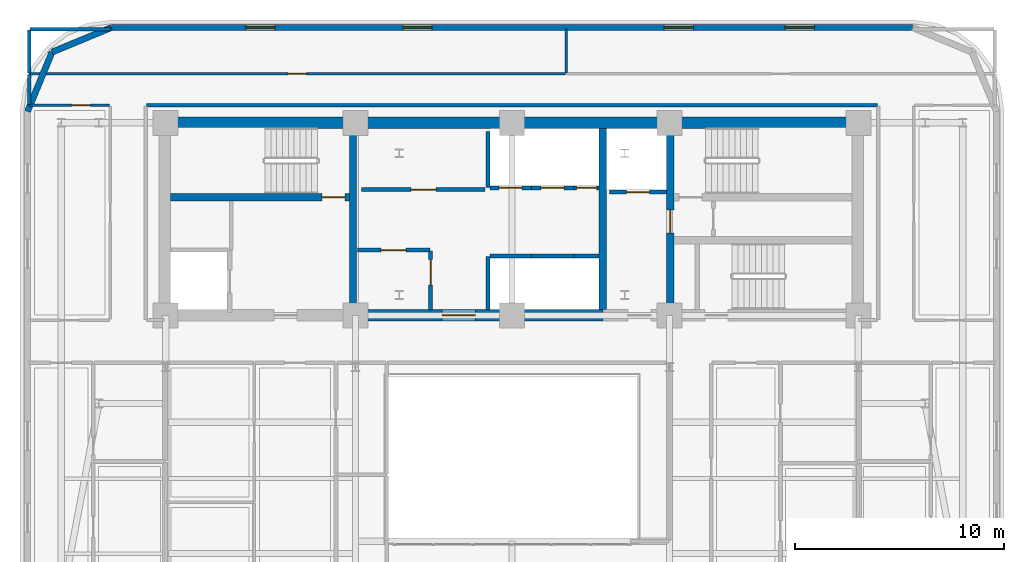
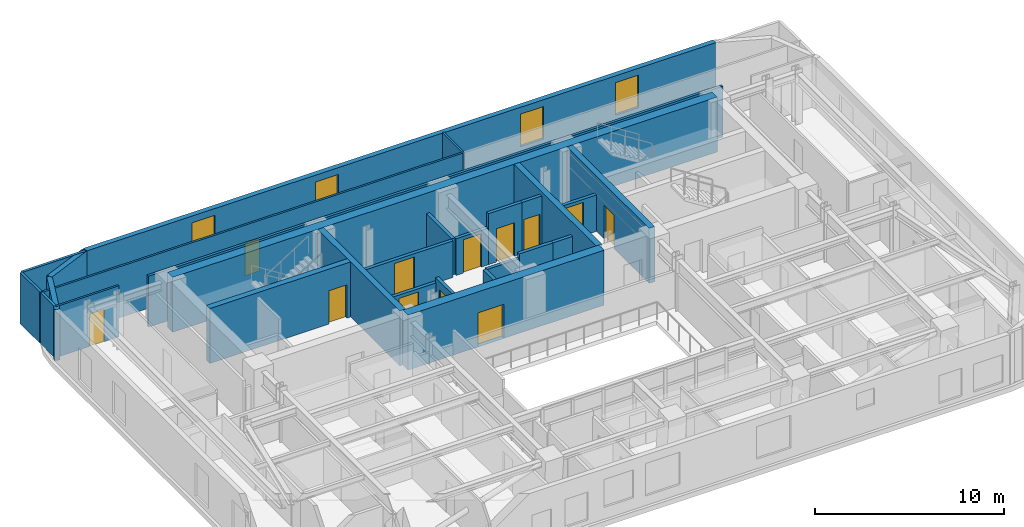
# One storey, part 7 of 12: 28 walls, 12 doors, 4 windows, 16 openings.
"""IFC4 building model written with IfcOpenShell, lengths in metres."""

from ifc_helpers import new_model, si_unit, direction, frame, frame_2d, origin, place, context, subcontext, project, spatial, rectangle, extrude, material, layer, layer_set, type_object, element, fill, save


model = new_model("IFC4")

# Units and contexts
model_context = context("Model", 3, precision=1e-05, world=origin(), true_north=direction((0.0, 1.0)))
body_context = subcontext(model_context, "Body", "Model", "MODEL_VIEW")
ifc_project = project(units=[si_unit("LENGTHUNIT", "METRE"), si_unit("AREAUNIT", "SQUARE_METRE"), si_unit("VOLUMEUNIT", "CUBIC_METRE"), si_unit("PLANEANGLEUNIT", "RADIAN"), si_unit("MASSUNIT", "GRAM", prefix="KILO")], contexts=[model_context])

# Site, building, storey
site_placement = place(None, origin())
site = spatial("IfcSite", under=ifc_project, at=site_placement, CompositionType="ELEMENT")
building_placement = place(site_placement, origin())
building = spatial("IfcBuilding", under=site, at=building_placement, Name="Zarnavel Station Tower", CompositionType="ELEMENT")
storey_placement = place(building_placement, frame((0.0, 0.0, 144.800048828125)))
storey = spatial("IfcBuildingStorey", under=building, at=storey_placement, Name="L39", CompositionType="ELEMENT", Elevation=144.800048828125)

# Walls
ifc_material_1 = material(Name="Concrete C50/60", Category="concrete")
ifc_layer_1 = layer(ifc_material_1, 0.35009765625)
ifc_layer_set_1 = layer_set([ifc_layer_1], Name="CW_350")
wall_type_1 = type_object("IfcWallType", Name="CW_350", PredefinedType="SHEAR", material=ifc_layer_set_1)
for number, where, z_axis, x_axis, name in (
    (1, (21.179931640625, 28.094970703125, 0.0), (0.0, 0.0, 1.0), (0.0, 1.0, 0.0), "L39 Rear Core Shear Wall DIV-W"),
    (2, (33.14990234375, 28.094970703125, 0.0), (0.0, 0.0, 1.0), (0.0, 1.0, 0.0), "L39 Rear Core Shear Wall DIV-E"),
):
    element("IfcWall", number, at=place(storey_placement, frame(where, z_axis=z_axis, x_axis=x_axis)), inside=storey, type_object=wall_type_1, Name=name, PredefinedType="SHEAR", context=body_context, shape_type="SweptSolid", body=[
        extrude(rectangle(XDim=8.679931640625, YDim=0.35009765625, at=frame_2d((4.33984375, 0.0))), origin(), (0.0, 0.0, 1.0), 3.550048828125),
    ])

# Wall, opening, door
wall_1_placement = place(storey_placement, frame((36.3798828125, 28.094970703125, 0.0), z_axis=(0.0, 0.0, 1.0), x_axis=(0.0, 1.0, 0.0)))
wall_1 = element("IfcWall", 3, at=wall_1_placement, inside=storey, type_object=wall_type_1, Name="L39 Rear Core Shear Wall DIV-S2", PredefinedType="SHEAR", context=body_context, shape_type="SweptSolid", body=[
    extrude(rectangle(XDim=8.679931640625, YDim=0.35009765625, at=frame_2d((4.33984375, 0.0))), origin(), (0.0, 0.0, 1.0), 3.550048828125),
])
opening_1_placement = place(wall_1_placement, frame((3.68505859375, 0.0, 0.0)))
opening_1 = element("IfcOpeningElement", 4, at=opening_1_placement, cuts=wall_1, Name="Opening FD01", PredefinedType="OPENING", context=body_context, shape_type="SweptSolid", body=[
    extrude(rectangle(XDim=1.10009765625, YDim=2.14990234375, at=frame_2d((0.550048828125, 1.074951171875))), frame((0.0, 0.18505859375, 0.0), z_axis=(0.0, -1.0, 0.0), x_axis=(1.0, 0.0, 0.0)), (0.0, 0.0, 1.0), 0.3701171875),
])
ifc_material_2 = material(Name="Painted Galvanised Steel and Hardwood Leaf", Category="steel")
door_type_1 = type_object("IfcDoorType", Name="ID_STAIR_1100", OperationType="NOTDEFINED", PredefinedType="DOOR", material=ifc_material_2)
door_1_placement = place(opening_1_placement, origin())
door_1 = element("IfcDoor", 5, at=door_1_placement, inside=storey, type_object=door_type_1, Name="L39 East Stair Vestibule Fire Door", OperationType="SINGLE_SWING_LEFT", OverallHeight=2.14990234375, OverallWidth=1.10009765625, PredefinedType="DOOR", context=body_context, shape_type="SweptSolid", body=[
    extrude(rectangle(XDim=1.10009765625, YDim=2.14990234375, at=frame_2d((0.550048828125, 1.074951171875))), frame((0.0, 0.02490234375, 0.0), z_axis=(0.0, -1.0, 0.0), x_axis=(1.0, 0.0, 0.0)), (0.0, 0.0, 1.0), 0.050048828125),
])
fill(opening_1, door_1)

wall_2_placement = place(storey_placement, frame((21.0048828125, 33.47998046875, 0.0), z_axis=(0.0, 0.0, 1.0), x_axis=(-1.0, 0.0, 0.0)))
wall_2 = element("IfcWall", 6, at=wall_2_placement, inside=storey, type_object=wall_type_1, Name="L39 Rear Core Shear Wall DIV-H1", PredefinedType="SHEAR", context=body_context, shape_type="SweptSolid", body=[
    extrude(rectangle(XDim=8.579833984375, YDim=0.35009765625, at=frame_2d((4.2900390625, 0.0))), origin(), (0.0, 0.0, 1.0), 3.550048828125),
])
opening_2_placement = place(wall_2_placement, frame((0.219970703125, 0.0, 0.0)))
opening_2 = element("IfcOpeningElement", 7, at=opening_2_placement, cuts=wall_2, Name="Opening FD01", PredefinedType="OPENING", context=body_context, shape_type="SweptSolid", body=[
    extrude(rectangle(XDim=1.10009765625, YDim=2.14990234375, at=frame_2d((0.550048828125, 1.074951171875))), frame((0.0, 0.18505859375, 0.0), z_axis=(0.0, -1.0, 0.0), x_axis=(1.0, 0.0, 0.0)), (0.0, 0.0, 1.0), 0.3701171875),
])
door_2_placement = place(opening_2_placement, origin())
door_2 = element("IfcDoor", 8, at=door_2_placement, inside=storey, type_object=door_type_1, Name="L39 Stair ST1 Lobby Fire Door", OperationType="SINGLE_SWING_LEFT", OverallHeight=2.14990234375, OverallWidth=1.10009765625, PredefinedType="DOOR", context=body_context, shape_type="SweptSolid", body=[
    extrude(rectangle(XDim=1.10009765625, YDim=2.14990234375, at=frame_2d((0.550048828125, 1.074951171875))), frame((0.0, 0.02490234375, 0.0), z_axis=(0.0, -1.0, 0.0), x_axis=(1.0, 0.0, 0.0)), (0.0, 0.0, 1.0), 0.050048828125),
])
fill(opening_2, door_2)

# Wall
ifc_material_3 = material(Name="Concrete C50/60", Category="concrete")
ifc_layer_2 = layer(ifc_material_3, 0.550048828125)
ifc_layer_set_2 = layer_set([ifc_layer_2], Name="CW_550")
wall_type_2 = type_object("IfcWallType", Name="CW_550", PredefinedType="SHEAR", material=ifc_layer_set_2)
wall_3_placement = place(storey_placement, frame((12.14990234375, 37.050048828125, 0.0), z_axis=(0.0, 0.0, 1.0), x_axis=(1.0, 0.0, 0.0)))
element("IfcWall", 9, at=wall_3_placement, inside=storey, type_object=wall_type_2, Name="L39 Rear Core Shear Wall N", PredefinedType="SHEAR", context=body_context, shape_type="SweptSolid", body=[
    extrude(rectangle(XDim=33.22998046875, YDim=0.550048828125, at=frame_2d((16.614990234375, 0.0))), origin(), (0.0, 0.0, 1.0), 3.550048828125),
])

# Wall, opening, door
wall_4_placement = place(storey_placement, frame((33.14990234375, 27.820068359375, 0.0), z_axis=(0.0, 0.0, 1.0), x_axis=(-1.0, 0.0, 0.0)))
wall_4 = element("IfcWall", 10, at=wall_4_placement, inside=storey, type_object=wall_type_2, Name="L39 Rear Core Shear Wall S-M", PredefinedType="SHEAR", context=body_context, shape_type="SweptSolid", body=[
    extrude(rectangle(XDim=11.969970703125, YDim=0.550048828125, at=frame_2d((5.98486328125, 0.0))), origin(), (0.0, 0.0, 1.0), 3.550048828125),
])
opening_3_placement = place(wall_4_placement, frame((6.10009765625, 0.0, 0.0)))
opening_3 = element("IfcOpeningElement", 11, at=opening_3_placement, cuts=wall_4, Name="Opening ID03", PredefinedType="OPENING", context=body_context, shape_type="SweptSolid", body=[
    extrude(rectangle(XDim=1.60009765625, YDim=2.199951171875, at=frame_2d((0.800048828125, 1.10009765625))), frame((0.0, 0.284912109375, 0.0), z_axis=(0.0, -1.0, 0.0), x_axis=(1.0, 0.0, 0.0)), (0.0, 0.0, 1.0), 0.570068359375),
])
ifc_material_4 = material(Name="Painted Galvanised Steel and Hardwood Leaf", Category="steel")
door_type_2 = type_object("IfcDoorType", Name="ID_PUBLIC_1600", OperationType="DOUBLE_DOOR_SINGLE_SWING", PredefinedType="DOOR", material=ifc_material_4)
door_3_placement = place(opening_3_placement, origin())
door_3 = element("IfcDoor", 12, at=door_3_placement, inside=storey, type_object=door_type_2, Name="L39 Passenger Lift Lobby Double Door", OperationType="SINGLE_SWING_LEFT", OverallHeight=2.199951171875, OverallWidth=1.60009765625, PredefinedType="DOOR", context=body_context, shape_type="SweptSolid", body=[
    extrude(rectangle(XDim=1.60009765625, YDim=2.199951171875, at=frame_2d((0.800048828125, 1.10009765625))), frame((0.0, 0.02490234375, 0.0), z_axis=(0.0, -1.0, 0.0), x_axis=(1.0, 0.0, 0.0)), (0.0, 0.0, 1.0), 0.050048828125),
])
fill(opening_3, door_3)

# Wall, openings, windows
ifc_material_5 = material(Name="Precast concrete C45/55 (Dark Basalt Finish)", Category="masonry")
ifc_layer_3 = layer(ifc_material_5, 0.300048828125)
ifc_layer_set_3 = layer_set([ifc_layer_3], Name="EW_BASALT_300")
wall_type_3 = type_object("IfcWallType", Name="EW_BASALT_300", PredefinedType="SOLIDWALL", material=ifc_layer_set_3)
wall_5_placement = place(storey_placement, frame((9.60009765625, 41.6201171875, 0.0), z_axis=(0.0, 0.0, 1.0), x_axis=(1.0, 0.0, 0.0)))
wall_5 = element("IfcWall", 13, at=wall_5_placement, inside=storey, type_object=wall_type_3, Name="L39 Exterior Basalt Masonry Frame Wall 06", PredefinedType="SOLIDWALL", context=body_context, shape_type="SweptSolid", body=[
    extrude(rectangle(XDim=38.39990234375, YDim=0.300048828125, at=frame_2d((19.199951171875, 0.0))), origin(), (0.0, 0.0, 1.0), 3.2900390625),
])
opening_4_placement = place(wall_5_placement, frame((6.44677734375, 0.0, 0.75)))
opening_4 = element("IfcOpeningElement", 14, at=opening_4_placement, cuts=wall_5, Name="Opening WN04", PredefinedType="OPENING", context=body_context, shape_type="SweptSolid", body=[
    extrude(rectangle(XDim=1.39990234375, YDim=2.10009765625, at=frame_2d((0.699951171875, 1.050048828125))), frame((0.0, 0.159912109375, 0.0), z_axis=(0.0, -1.0, 0.0), x_axis=(1.0, 0.0, 0.0)), (0.0, 0.0, 1.0), 0.320068359375),
])
opening_5_placement = place(wall_5_placement, frame((13.973388671875, 0.0, 0.75)))
opening_5 = element("IfcOpeningElement", 15, at=opening_5_placement, cuts=wall_5, Name="Opening WN04", PredefinedType="OPENING", context=body_context, shape_type="SweptSolid", body=[
    extrude(rectangle(XDim=1.39990234375, YDim=2.10009765625, at=frame_2d((0.699951171875, 1.050048828125))), frame((0.0, 0.159912109375, 0.0), z_axis=(0.0, -1.0, 0.0), x_axis=(1.0, 0.0, 0.0)), (0.0, 0.0, 1.0), 0.320068359375),
])
opening_6_placement = place(wall_5_placement, frame((26.493408203125, 0.0, 0.75)))
opening_6 = element("IfcOpeningElement", 16, at=opening_6_placement, cuts=wall_5, Name="Opening WN04", PredefinedType="OPENING", context=body_context, shape_type="SweptSolid", body=[
    extrude(rectangle(XDim=1.39990234375, YDim=2.10009765625, at=frame_2d((0.699951171875, 1.050048828125))), frame((0.0, 0.159912109375, 0.0), z_axis=(0.0, -1.0, 0.0), x_axis=(1.0, 0.0, 0.0)), (0.0, 0.0, 1.0), 0.320068359375),
])
opening_7_placement = place(wall_5_placement, frame((32.28662109375, 0.0, 0.75)))
opening_7 = element("IfcOpeningElement", 17, at=opening_7_placement, cuts=wall_5, Name="Opening WN04", PredefinedType="OPENING", context=body_context, shape_type="SweptSolid", body=[
    extrude(rectangle(XDim=1.39990234375, YDim=2.10009765625, at=frame_2d((0.699951171875, 1.050048828125))), frame((0.0, 0.159912109375, 0.0), z_axis=(0.0, -1.0, 0.0), x_axis=(1.0, 0.0, 0.0)), (0.0, 0.0, 1.0), 0.320068359375),
])
ifc_material_6 = material(Name="Thermally Broken Black Aluminium and Low-E Dark Glass", Category="aluminium")
window_type = type_object("IfcWindowType", Name="WN_1400x2100", PartitioningType="DOUBLE_PANEL_VERTICAL", PredefinedType="WINDOW", material=ifc_material_6)
window_1_placement = place(opening_4_placement, origin())
window_1 = element("IfcWindow", 18, at=window_1_placement, inside=storey, type_object=window_type, Name="L39 Recessed Facade Window 01", OverallHeight=2.10009765625, OverallWidth=1.39990234375, PartitioningType="SINGLE_PANEL", PredefinedType="WINDOW", context=body_context, shape_type="SweptSolid", body=[
    extrude(rectangle(XDim=1.39990234375, YDim=2.10009765625, at=frame_2d((0.699951171875, 1.050048828125))), frame((0.0, 0.030029296875, 0.0), z_axis=(0.0, -1.0, 0.0), x_axis=(1.0, 0.0, 0.0)), (0.0, 0.0, 1.0), 0.06005859375),
])
fill(opening_4, window_1)
window_2_placement = place(opening_5_placement, origin())
window_2 = element("IfcWindow", 19, at=window_2_placement, inside=storey, type_object=window_type, Name="L39 Recessed Facade Window 02", OverallHeight=2.10009765625, OverallWidth=1.39990234375, PartitioningType="SINGLE_PANEL", PredefinedType="WINDOW", context=body_context, shape_type="SweptSolid", body=[
    extrude(rectangle(XDim=1.39990234375, YDim=2.10009765625, at=frame_2d((0.699951171875, 1.050048828125))), frame((0.0, 0.030029296875, 0.0), z_axis=(0.0, -1.0, 0.0), x_axis=(1.0, 0.0, 0.0)), (0.0, 0.0, 1.0), 0.06005859375),
])
fill(opening_5, window_2)
window_3_placement = place(opening_6_placement, origin())
window_3 = element("IfcWindow", 20, at=window_3_placement, inside=storey, type_object=window_type, Name="L39 Recessed Facade Window 03", OverallHeight=2.10009765625, OverallWidth=1.39990234375, PartitioningType="SINGLE_PANEL", PredefinedType="WINDOW", context=body_context, shape_type="SweptSolid", body=[
    extrude(rectangle(XDim=1.39990234375, YDim=2.10009765625, at=frame_2d((0.699951171875, 1.050048828125))), frame((0.0, 0.030029296875, 0.0), z_axis=(0.0, -1.0, 0.0), x_axis=(1.0, 0.0, 0.0)), (0.0, 0.0, 1.0), 0.06005859375),
])
fill(opening_6, window_3)
window_4_placement = place(opening_7_placement, origin())
window_4 = element("IfcWindow", 21, at=window_4_placement, inside=storey, type_object=window_type, Name="L39 Recessed Facade Window 04", OverallHeight=2.10009765625, OverallWidth=1.39990234375, PartitioningType="SINGLE_PANEL", PredefinedType="WINDOW", context=body_context, shape_type="SweptSolid", body=[
    extrude(rectangle(XDim=1.39990234375, YDim=2.10009765625, at=frame_2d((0.699951171875, 1.050048828125))), frame((0.0, 0.030029296875, 0.0), z_axis=(0.0, -1.0, 0.0), x_axis=(1.0, 0.0, 0.0)), (0.0, 0.0, 1.0), 0.06005859375),
])
fill(opening_7, window_4)

# Walls
wall_6_placement = place(storey_placement, frame((6.75732421875, 40.442626953125, 0.0), z_axis=(0.0, 0.0, 1.0), x_axis=(0.923882414032, 0.382676475685, 0.0)))
element("IfcWall", 22, at=wall_6_placement, inside=storey, type_object=wall_type_3, Name="L39 Exterior Basalt Masonry Frame Wall 07", PredefinedType="SOLIDWALL", context=body_context, shape_type="SweptSolid", body=[
    extrude(rectangle(XDim=3.076904296875, YDim=0.300048828125, at=frame_2d((1.53857421875, 0.0))), origin(), (0.0, 0.0, 1.0), 3.2900390625),
])
wall_7_placement = place(storey_placement, frame((5.580078125, 37.60009765625, 0.0), z_axis=(0.0, 0.0, 1.0), x_axis=(0.382636798336, 0.92389884758, 0.0)))
element("IfcWall", 23, at=wall_7_placement, inside=storey, type_object=wall_type_3, Name="L39 Exterior Basalt Masonry Frame Wall 08", PredefinedType="SOLIDWALL", context=body_context, shape_type="SweptSolid", body=[
    extrude(rectangle(XDim=3.07666015625, YDim=0.300048828125, at=frame_2d((1.538330078125, 0.0))), origin(), (0.0, 0.0, 1.0), 3.2900390625),
])
ifc_material_7 = material(Name="Gypsum Twin-Stud Acoustic Fire Partition", Category="concrete")
ifc_layer_4 = layer(ifc_material_7, 0.159912109375)
ifc_layer_set_4 = layer_set([ifc_layer_4], Name="PT_DEMISE_160")
wall_type_4 = type_object("IfcWallType", Name="PT_DEMISE_160", PredefinedType="PARTITIONING", material=ifc_layer_set_4)
wall_8_placement = place(storey_placement, frame((11.280029296875, 37.89990234375, 0.0), z_axis=(0.0, 0.0, 1.0), x_axis=(1.0, 0.0, 0.0)))
element("IfcWall", 24, at=wall_8_placement, inside=storey, type_object=wall_type_4, Name="L39 Enclosure Wall COR-N", PredefinedType="PARTITIONING", context=body_context, shape_type="SweptSolid", body=[
    extrude(rectangle(XDim=35.0400390625, YDim=0.159912109375, at=frame_2d((17.52001953125, 0.0))), origin(), (0.0, 0.0, 1.0), 3.2900390625),
])
wall_9_placement = place(storey_placement, frame((5.659912109375, 37.929931640625, 0.0), z_axis=(0.0, 0.0, 1.0), x_axis=(0.0, 1.0, 0.0)))
element("IfcWall", 25, at=wall_9_placement, inside=storey, type_object=wall_type_4, Name="L39 Enclosure Wall COR-N", PredefinedType="PARTITIONING", context=body_context, shape_type="SweptSolid", body=[
    extrude(rectangle(XDim=1.440185546875, YDim=0.159912109375, at=frame_2d((0.72021484375, 0.0))), origin(), (0.0, 0.0, 1.0), 3.2900390625),
])
wall_10_placement = place(storey_placement, frame((5.68994140625, 41.5400390625, 0.0), z_axis=(0.0, 0.0, 1.0), x_axis=(1.0, 0.0, 0.0)))
element("IfcWall", 26, at=wall_10_placement, inside=storey, type_object=wall_type_4, Name="L39 Enclosure Wall NGYM", PredefinedType="PARTITIONING", context=body_context, shape_type="SweptSolid", body=[
    extrude(rectangle(XDim=3.880126953125, YDim=0.159912109375, at=frame_2d((1.93994140625, 0.0))), origin(), (0.0, 0.0, 1.0), 3.2900390625),
])
wall_11_placement = place(storey_placement, frame((5.659912109375, 39.429931640625, 0.0), z_axis=(0.0, 0.0, 1.0), x_axis=(0.0, 1.0, 0.0)))
element("IfcWall", 27, at=wall_11_placement, inside=storey, type_object=wall_type_4, Name="L39 Enclosure Wall NGYM", PredefinedType="PARTITIONING", context=body_context, shape_type="SweptSolid", body=[
    extrude(rectangle(XDim=2.080078125, YDim=0.159912109375, at=frame_2d((1.0400390625, 0.0))), origin(), (0.0, 0.0, 1.0), 3.2900390625),
])

# Wall, opening, door
ifc_material_8 = material(Name="Gypsum Metal-Stud Interior Partition", Category="concrete")
ifc_layer_5 = layer(ifc_material_8, 0.1201171875)
ifc_layer_set_5 = layer_set([ifc_layer_5], Name="PT_ROOM_120")
wall_type_5 = type_object("IfcWallType", Name="PT_ROOM_120", PredefinedType="PARTITIONING", material=ifc_layer_set_5)
wall_12_placement = place(storey_placement, frame((5.659912109375, 37.89990234375, 0.0), z_axis=(0.0, 0.0, 1.0), x_axis=(1.0, 0.0, 0.0)))
wall_12 = element("IfcWall", 28, at=wall_12_placement, inside=storey, type_object=wall_type_5, Name="L39 Partition COR-N-FNW", PredefinedType="PARTITIONING", context=body_context, shape_type="SweptSolid", body=[
    extrude(rectangle(XDim=3.85009765625, YDim=0.1201171875, at=frame_2d((1.925048828125, 0.0))), origin(), (0.0, 0.0, 1.0), 3.2900390625),
])
opening_8_placement = place(wall_12_placement, frame((2.03125, 0.0, 0.0)))
opening_8 = element("IfcOpeningElement", 29, at=opening_8_placement, cuts=wall_12, Name="Opening ID01", PredefinedType="OPENING", context=body_context, shape_type="SweptSolid", body=[
    extrude(rectangle(XDim=0.89990234375, YDim=2.10009765625, at=frame_2d((0.449951171875, 1.050048828125))), frame((0.0, 0.070068359375, 0.0), z_axis=(0.0, -1.0, 0.0), x_axis=(1.0, 0.0, 0.0)), (0.0, 0.0, 1.0), 0.14013671875),
])
ifc_material_9 = material(Name="Painted Galvanised Steel and Hardwood Leaf", Category="steel")
door_type_3 = type_object("IfcDoorType", Name="ID_ROOM_900", OperationType="NOTDEFINED", PredefinedType="DOOR", material=ifc_material_9)
door_4_placement = place(opening_8_placement, origin())
door_4 = element("IfcDoor", 30, at=door_4_placement, inside=storey, type_object=door_type_3, Name="L39 Door COR-N-FNW", OperationType="SINGLE_SWING_LEFT", OverallHeight=2.10009765625, OverallWidth=0.89990234375, PredefinedType="DOOR", context=body_context, shape_type="SweptSolid", body=[
    extrude(rectangle(XDim=0.89990234375, YDim=2.10009765625, at=frame_2d((0.449951171875, 1.050048828125))), frame((0.0, 0.02490234375, 0.0), z_axis=(0.0, -1.0, 0.0), x_axis=(1.0, 0.0, 0.0)), (0.0, 0.0, 1.0), 0.050048828125),
])
fill(opening_8, door_4)

wall_13_placement = place(storey_placement, frame((5.659912109375, 39.39990234375, 0.0), z_axis=(0.0, 0.0, 1.0), x_axis=(1.0, 0.0, 0.0)))
wall_13 = element("IfcWall", 31, at=wall_13_placement, inside=storey, type_object=wall_type_5, Name="L39 Partition COR-N-NGYM", PredefinedType="PARTITIONING", context=body_context, shape_type="SweptSolid", body=[
    extrude(rectangle(XDim=25.7001953125, YDim=0.1201171875, at=frame_2d((12.85009765625, 0.0))), origin(), (0.0, 0.0, 1.0), 3.2900390625),
])
opening_9_placement = place(wall_13_placement, frame((12.39990234375, 0.0, 0.0)))
opening_9 = element("IfcOpeningElement", 32, at=opening_9_placement, cuts=wall_13, Name="Opening ID01", PredefinedType="OPENING", context=body_context, shape_type="SweptSolid", body=[
    extrude(rectangle(XDim=0.89990234375, YDim=2.10009765625, at=frame_2d((0.449951171875, 1.050048828125))), frame((0.0, 0.070068359375, 0.0), z_axis=(0.0, -1.0, 0.0), x_axis=(1.0, 0.0, 0.0)), (0.0, 0.0, 1.0), 0.14013671875),
])
door_5_placement = place(opening_9_placement, origin())
door_5 = element("IfcDoor", 33, at=door_5_placement, inside=storey, type_object=door_type_3, Name="L39 Door COR-N-NGYM", OperationType="SINGLE_SWING_LEFT", OverallHeight=2.10009765625, OverallWidth=0.89990234375, PredefinedType="DOOR", context=body_context, shape_type="SweptSolid", body=[
    extrude(rectangle(XDim=0.89990234375, YDim=2.10009765625, at=frame_2d((0.449951171875, 1.050048828125))), frame((0.0, 0.02490234375, 0.0), z_axis=(0.0, -1.0, 0.0), x_axis=(1.0, 0.0, 0.0)), (0.0, 0.0, 1.0), 0.050048828125),
])
fill(opening_9, door_5)

# Wall
wall_14_placement = place(storey_placement, frame((31.39990234375, 39.43994140625, 0.0), z_axis=(0.0, 0.0, 1.0), x_axis=(0.0, 1.0, 0.0)))
element("IfcWall", 34, at=wall_14_placement, inside=storey, type_object=wall_type_5, Name="L39 Partition NGYM-NBRD", PredefinedType="PARTITIONING", context=body_context, shape_type="SweptSolid", body=[
    extrude(rectangle(XDim=2.10009765625, YDim=0.1201171875, at=frame_2d((1.050048828125, 0.0))), origin(), (0.0, 0.0, 1.0), 3.2900390625),
])

# Wall, opening, door
ifc_material_10 = material(Name="Precast concrete C45/55 (Fire Shaft Blockwork)", Category="masonry")
ifc_layer_6 = layer(ifc_material_10, 0.199951171875)
ifc_layer_set_6 = layer_set([ifc_layer_6], Name="PT_SHAFT_200")
wall_type_6 = type_object("IfcWallType", Name="PT_SHAFT_200", PredefinedType="PARTITIONING", material=ifc_layer_set_6)
wall_15_placement = place(storey_placement, frame((33.47509765625, 33.72998046875, 0.0), z_axis=(0.0, 0.0, 1.0), x_axis=(1.0, 0.0, 0.0)))
wall_15 = element("IfcWall", 35, at=wall_15_placement, inside=storey, type_object=wall_type_6, Name="L39 Lift FFL-02 Shaft Front Wall", PredefinedType="PARTITIONING", context=body_context, shape_type="SweptSolid", body=[
    extrude(rectangle(XDim=2.724853515625, YDim=0.199951171875, at=frame_2d((1.3623046875, 0.0))), origin(), (0.0, 0.0, 1.0), 2.35986328125),
])
opening_10_placement = place(wall_15_placement, frame((0.8125, 0.0, 0.0)))
opening_10 = element("IfcOpeningElement", 36, at=opening_10_placement, cuts=wall_15, Name="Opening LD01", PredefinedType="OPENING", context=body_context, shape_type="SweptSolid", body=[
    extrude(rectangle(XDim=1.10009765625, YDim=2.14990234375, at=frame_2d((0.550048828125, 1.074951171875))), frame((0.0, 0.10986328125, 0.0), z_axis=(0.0, -1.0, 0.0), x_axis=(1.0, 0.0, 0.0)), (0.0, 0.0, 1.0), 0.219970703125),
])
ifc_material_11 = material(Name="Painted Galvanised Steel and Hardwood Leaf", Category="steel")
door_type_4 = type_object("IfcDoorType", Name="LD_FF_1100", OperationType="DOUBLE_DOOR_SLIDING", PredefinedType="DOOR", material=ifc_material_11)
door_6_placement = place(opening_10_placement, origin())
door_6 = element("IfcDoor", 37, at=door_6_placement, inside=storey, type_object=door_type_4, Name="L39 Lift FFL-02 Sliding Landing Door", OperationType="DOUBLE_DOOR_SLIDING", OverallHeight=2.14990234375, OverallWidth=1.10009765625, PredefinedType="DOOR", context=body_context, shape_type="SweptSolid", body=[
    extrude(rectangle(XDim=1.10009765625, YDim=2.14990234375, at=frame_2d((0.550048828125, 1.074951171875))), frame((0.0, 0.02490234375, 0.0), z_axis=(0.0, -1.0, 0.0), x_axis=(1.0, 0.0, 0.0)), (0.0, 0.0, 1.0), 0.050048828125),
])
fill(opening_10, door_6)

# Walls
wall_16_placement = place(storey_placement, frame((27.75, 30.669921875, 0.0), z_axis=(0.0, 0.0, 1.0), x_axis=(1.0, 0.0, 0.0)))
element("IfcWall", 38, at=wall_16_placement, inside=storey, type_object=wall_type_6, Name="L39 Lift PL-H1 Shaft Front Wall", PredefinedType="PARTITIONING", context=body_context, shape_type="SweptSolid", body=[
    extrude(rectangle(XDim=1.97509765625, YDim=0.199951171875, at=frame_2d((0.987548828125, 0.0))), origin(), (0.0, 0.0, 1.0), 2.35986328125),
])
wall_17_placement = place(storey_placement, frame((27.64990234375, 28.070068359375, 0.0), z_axis=(0.0, 0.0, 1.0), x_axis=(0.0, 1.0, 0.0)))
element("IfcWall", 39, at=wall_17_placement, inside=storey, type_object=wall_type_6, Name="L39 High-Rise Lift Bank West Shaft Wall", PredefinedType="PARTITIONING", context=body_context, shape_type="SweptSolid", body=[
    extrude(rectangle(XDim=2.579833984375, YDim=0.199951171875, at=frame_2d((1.2900390625, 0.0))), origin(), (0.0, 0.0, 1.0), 2.35986328125),
])
wall_18_placement = place(storey_placement, frame((29.72509765625, 30.669921875, 0.0), z_axis=(0.0, 0.0, 1.0), x_axis=(1.0, 0.0, 0.0)))
element("IfcWall", 40, at=wall_18_placement, inside=storey, type_object=wall_type_6, Name="L39 Lift PL-H2 Shaft Front Wall", PredefinedType="PARTITIONING", context=body_context, shape_type="SweptSolid", body=[
    extrude(rectangle(XDim=2.0498046875, YDim=0.199951171875, at=frame_2d((1.02490234375, 0.0))), origin(), (0.0, 0.0, 1.0), 2.669921875),
])
wall_19_placement = place(storey_placement, frame((31.77490234375, 30.669921875, 0.0), z_axis=(0.0, 0.0, 1.0), x_axis=(1.0, 0.0, 0.0)))
element("IfcWall", 41, at=wall_19_placement, inside=storey, type_object=wall_type_6, Name="L39 Lift PL-H3 Shaft Front Wall", PredefinedType="PARTITIONING", context=body_context, shape_type="SweptSolid", body=[
    extrude(rectangle(XDim=1.2001953125, YDim=0.199951171875, at=frame_2d((0.60009765625, 0.0))), origin(), (0.0, 0.0, 1.0), 2.669921875),
])

# Wall, opening, door
wall_20_placement = place(storey_placement, frame((27.75, 33.929931640625, 0.0), z_axis=(0.0, 0.0, 1.0), x_axis=(1.0, 0.0, 0.0)))
wall_20 = element("IfcWall", 42, at=wall_20_placement, inside=storey, type_object=wall_type_6, Name="L39 Lift PL-M1 Shaft Front Wall", PredefinedType="PARTITIONING", context=body_context, shape_type="SweptSolid", body=[
    extrude(rectangle(XDim=1.97509765625, YDim=0.199951171875, at=frame_2d((0.987548828125, 0.0))), origin(), (0.0, 0.0, 1.0), 2.35986328125),
])
opening_11_placement = place(wall_20_placement, frame((0.4375, 0.0, 0.0)))
opening_11 = element("IfcOpeningElement", 43, at=opening_11_placement, cuts=wall_20, Name="Opening LD02", PredefinedType="OPENING", context=body_context, shape_type="SweptSolid", body=[
    extrude(rectangle(XDim=1.10009765625, YDim=2.14990234375, at=frame_2d((0.550048828125, 1.074951171875))), frame((0.0, 0.10986328125, 0.0), z_axis=(0.0, -1.0, 0.0), x_axis=(1.0, 0.0, 0.0)), (0.0, 0.0, 1.0), 0.219970703125),
])
ifc_material_12 = material(Name="Painted Galvanised Steel and Hardwood Leaf", Category="steel")
door_type_5 = type_object("IfcDoorType", Name="LD_PAX_1100", OperationType="DOUBLE_DOOR_SLIDING", PredefinedType="DOOR", material=ifc_material_12)
door_7_placement = place(opening_11_placement, origin())
door_7 = element("IfcDoor", 44, at=door_7_placement, inside=storey, type_object=door_type_5, Name="L39 Lift PL-M1 Sliding Landing Door", OperationType="DOUBLE_DOOR_SLIDING", OverallHeight=2.14990234375, OverallWidth=1.10009765625, PredefinedType="DOOR", context=body_context, shape_type="SweptSolid", body=[
    extrude(rectangle(XDim=1.10009765625, YDim=2.14990234375, at=frame_2d((0.550048828125, 1.074951171875))), frame((0.0, 0.02490234375, 0.0), z_axis=(0.0, -1.0, 0.0), x_axis=(1.0, 0.0, 0.0)), (0.0, 0.0, 1.0), 0.050048828125),
])
fill(opening_11, door_7)

# Wall
wall_21_placement = place(storey_placement, frame((27.64990234375, 33.949951171875, 0.0), z_axis=(0.0, 0.0, 1.0), x_axis=(0.0, 1.0, 0.0)))
element("IfcWall", 45, at=wall_21_placement, inside=storey, type_object=wall_type_6, Name="L39 Mid-Rise Lift Bank West Shaft Wall", PredefinedType="PARTITIONING", context=body_context, shape_type="SweptSolid", body=[
    extrude(rectangle(XDim=2.679931640625, YDim=0.199951171875, at=frame_2d((1.33984375, 0.0))), origin(), (0.0, 0.0, 1.0), 2.35986328125),
])

# Wall, opening, door
wall_22_placement = place(storey_placement, frame((29.72509765625, 33.929931640625, 0.0), z_axis=(0.0, 0.0, 1.0), x_axis=(1.0, 0.0, 0.0)))
wall_22 = element("IfcWall", 46, at=wall_22_placement, inside=storey, type_object=wall_type_6, Name="L39 Lift PL-M2 Shaft Front Wall", PredefinedType="PARTITIONING", context=body_context, shape_type="SweptSolid", body=[
    extrude(rectangle(XDim=2.0498046875, YDim=0.199951171875, at=frame_2d((1.02490234375, 0.0))), origin(), (0.0, 0.0, 1.0), 3.2900390625),
])
opening_12_placement = place(wall_22_placement, frame((0.47509765625, 0.0, 0.0)))
opening_12 = element("IfcOpeningElement", 47, at=opening_12_placement, cuts=wall_22, Name="Opening LD02", PredefinedType="OPENING", context=body_context, shape_type="SweptSolid", body=[
    extrude(rectangle(XDim=1.10009765625, YDim=2.14990234375, at=frame_2d((0.550048828125, 1.074951171875))), frame((0.0, 0.10986328125, 0.0), z_axis=(0.0, -1.0, 0.0), x_axis=(1.0, 0.0, 0.0)), (0.0, 0.0, 1.0), 0.219970703125),
])
door_8_placement = place(opening_12_placement, origin())
door_8 = element("IfcDoor", 48, at=door_8_placement, inside=storey, type_object=door_type_5, Name="L39 Lift PL-M2 Sliding Landing Door", OperationType="DOUBLE_DOOR_SLIDING", OverallHeight=2.14990234375, OverallWidth=1.10009765625, PredefinedType="DOOR", context=body_context, shape_type="SweptSolid", body=[
    extrude(rectangle(XDim=1.10009765625, YDim=2.14990234375, at=frame_2d((0.550048828125, 1.074951171875))), frame((0.0, 0.02490234375, 0.0), z_axis=(0.0, -1.0, 0.0), x_axis=(1.0, 0.0, 0.0)), (0.0, 0.0, 1.0), 0.050048828125),
])
fill(opening_12, door_8)

wall_23_placement = place(storey_placement, frame((31.77490234375, 33.929931640625, 0.0), z_axis=(0.0, 0.0, 1.0), x_axis=(1.0, 0.0, 0.0)))
wall_23 = element("IfcWall", 49, at=wall_23_placement, inside=storey, type_object=wall_type_6, Name="L39 Lift PL-M3 Shaft Front Wall", PredefinedType="PARTITIONING", context=body_context, shape_type="SweptSolid", body=[
    extrude(rectangle(XDim=1.2001953125, YDim=0.199951171875, at=frame_2d((0.60009765625, 0.0))), origin(), (0.0, 0.0, 1.0), 3.2900390625),
])
opening_13_placement = place(wall_23_placement, frame((0.125, 0.0, 0.0)))
opening_13 = element("IfcOpeningElement", 50, at=opening_13_placement, cuts=wall_23, Name="Opening LD03", PredefinedType="OPENING", context=body_context, shape_type="SweptSolid", body=[
    extrude(rectangle(XDim=0.949951171875, YDim=2.14990234375, at=frame_2d((0.47509765625, 1.074951171875))), frame((0.0, 0.10986328125, 0.0), z_axis=(0.0, -1.0, 0.0), x_axis=(1.0, 0.0, 0.0)), (0.0, 0.0, 1.0), 0.219970703125),
])
ifc_material_13 = material(Name="Painted Galvanised Steel and Hardwood Leaf", Category="steel")
door_type_6 = type_object("IfcDoorType", Name="LD_PAX_0950", OperationType="DOUBLE_DOOR_SLIDING", PredefinedType="DOOR", material=ifc_material_13)
door_9_placement = place(opening_13_placement, origin())
door_9 = element("IfcDoor", 51, at=door_9_placement, inside=storey, type_object=door_type_6, Name="L39 Lift PL-M3 Sliding Landing Door", OperationType="DOUBLE_DOOR_SLIDING", OverallHeight=2.14990234375, OverallWidth=0.949951171875, PredefinedType="DOOR", context=body_context, shape_type="SweptSolid", body=[
    extrude(rectangle(XDim=0.949951171875, YDim=2.14990234375, at=frame_2d((0.47509765625, 1.074951171875))), frame((0.0, 0.02490234375, 0.0), z_axis=(0.0, -1.0, 0.0), x_axis=(1.0, 0.0, 0.0)), (0.0, 0.0, 1.0), 0.050048828125),
])
fill(opening_13, door_9)

wall_24_placement = place(storey_placement, frame((21.39990234375, 30.949951171875, 0.0), z_axis=(0.0, 0.0, 1.0), x_axis=(1.0, 0.0, 0.0)))
wall_24 = element("IfcWall", 52, at=wall_24_placement, inside=storey, type_object=wall_type_6, Name="L39 Partition LLOB-CS1", PredefinedType="PARTITIONING", context=body_context, shape_type="SweptSolid", body=[
    extrude(rectangle(XDim=3.460205078125, YDim=0.199951171875, at=frame_2d((1.72998046875, 0.0))), origin(), (0.0, 0.0, 1.0), 2.35986328125),
])
opening_14_placement = place(wall_24_placement, frame((1.1298828125, 0.0, 0.0)))
opening_14 = element("IfcOpeningElement", 53, at=opening_14_placement, cuts=wall_24, Name="Opening FD03", PredefinedType="OPENING", context=body_context, shape_type="SweptSolid", body=[
    extrude(rectangle(XDim=1.199951171875, YDim=2.14990234375, at=frame_2d((0.60009765625, 1.074951171875))), frame((0.0, 0.10986328125, 0.0), z_axis=(0.0, -1.0, 0.0), x_axis=(1.0, 0.0, 0.0)), (0.0, 0.0, 1.0), 0.219970703125),
])
ifc_material_14 = material(Name="Painted Galvanised Steel and Hardwood Leaf", Category="steel")
door_type_7 = type_object("IfcDoorType", Name="ID_PLANT_1200", OperationType="NOTDEFINED", PredefinedType="DOOR", material=ifc_material_14)
door_10_placement = place(opening_14_placement, origin())
door_10 = element("IfcDoor", 54, at=door_10_placement, inside=storey, type_object=door_type_7, Name="L39 Door LLOB-CS1", OperationType="SINGLE_SWING_RIGHT", OverallHeight=2.14990234375, OverallWidth=1.199951171875, PredefinedType="DOOR", context=body_context, shape_type="SweptSolid", body=[
    extrude(rectangle(XDim=1.199951171875, YDim=2.14990234375, at=frame_2d((0.60009765625, 1.074951171875))), frame((0.0, 0.02490234375, 0.0), z_axis=(0.0, -1.0, 0.0), x_axis=(1.0, 0.0, 0.0)), (0.0, 0.0, 1.0), 0.050048828125),
])
fill(opening_14, door_10)

wall_25_placement = place(storey_placement, frame((21.590087890625, 33.85009765625, 0.0), z_axis=(0.0, 0.0, 1.0), x_axis=(1.0, 0.0, 0.0)))
wall_25 = element("IfcWall", 55, at=wall_25_placement, inside=storey, type_object=wall_type_6, Name="L39 Partition LLOB-FB1A", PredefinedType="PARTITIONING", context=body_context, shape_type="SweptSolid", body=[
    extrude(rectangle(XDim=5.919921875, YDim=0.199951171875, at=frame_2d((2.9599609375, 0.0))), origin(), (0.0, 0.0, 1.0), 2.35986328125),
])
opening_15_placement = place(wall_25_placement, frame((2.360107421875, 0.0, 0.0)))
opening_15 = element("IfcOpeningElement", 56, at=opening_15_placement, cuts=wall_25, Name="Opening FD03", PredefinedType="OPENING", context=body_context, shape_type="SweptSolid", body=[
    extrude(rectangle(XDim=1.199951171875, YDim=2.14990234375, at=frame_2d((0.60009765625, 1.074951171875))), frame((0.0, 0.10986328125, 0.0), z_axis=(0.0, -1.0, 0.0), x_axis=(1.0, 0.0, 0.0)), (0.0, 0.0, 1.0), 0.219970703125),
])
door_11_placement = place(opening_15_placement, origin())
door_11 = element("IfcDoor", 57, at=door_11_placement, inside=storey, type_object=door_type_7, Name="L39 Door LLOB-FB1A", OperationType="SINGLE_SWING_LEFT", OverallHeight=2.14990234375, OverallWidth=1.199951171875, PredefinedType="DOOR", context=body_context, shape_type="SweptSolid", body=[
    extrude(rectangle(XDim=1.199951171875, YDim=2.14990234375, at=frame_2d((0.60009765625, 1.074951171875))), frame((0.0, 0.02490234375, 0.0), z_axis=(0.0, -1.0, 0.0), x_axis=(1.0, 0.0, 0.0)), (0.0, 0.0, 1.0), 0.050048828125),
])
fill(opening_15, door_11)

wall_26_placement = place(storey_placement, frame((24.89990234375, 28.090087890625, 0.0), z_axis=(0.0, 0.0, 1.0), x_axis=(0.0, 1.0, 0.0)))
wall_26 = element("IfcWall", 58, at=wall_26_placement, inside=storey, type_object=wall_type_6, Name="L39 Partition LLOBS-CS1", PredefinedType="PARTITIONING", context=body_context, shape_type="SweptSolid", body=[
    extrude(rectangle(XDim=2.81982421875, YDim=0.199951171875, at=frame_2d((1.409912109375, 0.0))), origin(), (0.0, 0.0, 1.0), 2.669921875),
])
opening_16_placement = place(wall_26_placement, frame((1.20068359375, 0.0, 0.0)))
opening_16 = element("IfcOpeningElement", 59, at=opening_16_placement, cuts=wall_26, Name="Opening FD03", PredefinedType="OPENING", context=body_context, shape_type="SweptSolid", body=[
    extrude(rectangle(XDim=1.199951171875, YDim=2.14990234375, at=frame_2d((0.60009765625, 1.074951171875))), frame((0.0, 0.10986328125, 0.0), z_axis=(0.0, -1.0, 0.0), x_axis=(1.0, 0.0, 0.0)), (0.0, 0.0, 1.0), 0.219970703125),
])
door_12_placement = place(opening_16_placement, origin())
door_12 = element("IfcDoor", 60, at=door_12_placement, inside=storey, type_object=door_type_7, Name="L39 Door LLOBS-CS1", OperationType="SINGLE_SWING_RIGHT", OverallHeight=2.14990234375, OverallWidth=1.199951171875, PredefinedType="DOOR", context=body_context, shape_type="SweptSolid", body=[
    extrude(rectangle(XDim=1.199951171875, YDim=2.14990234375, at=frame_2d((0.60009765625, 1.074951171875))), frame((0.0, 0.02490234375, 0.0), z_axis=(0.0, -1.0, 0.0), x_axis=(1.0, 0.0, 0.0)), (0.0, 0.0, 1.0), 0.050048828125),
])
fill(opening_16, door_12)

save(model, "model.ifc")
